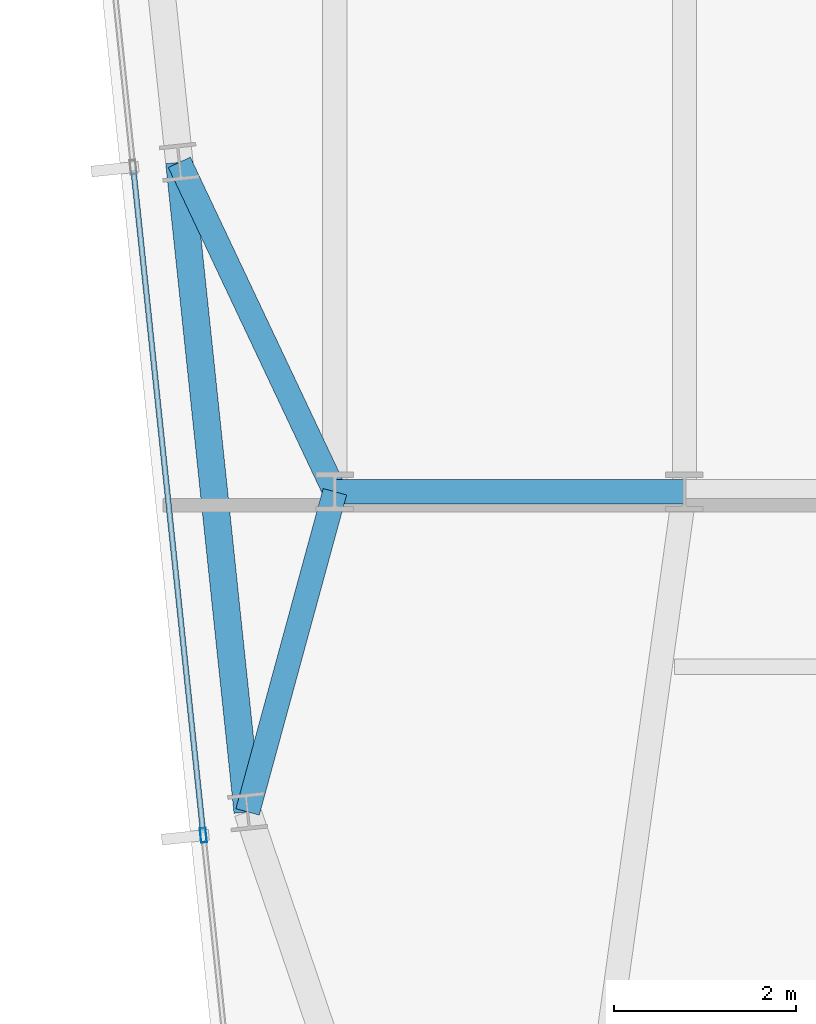
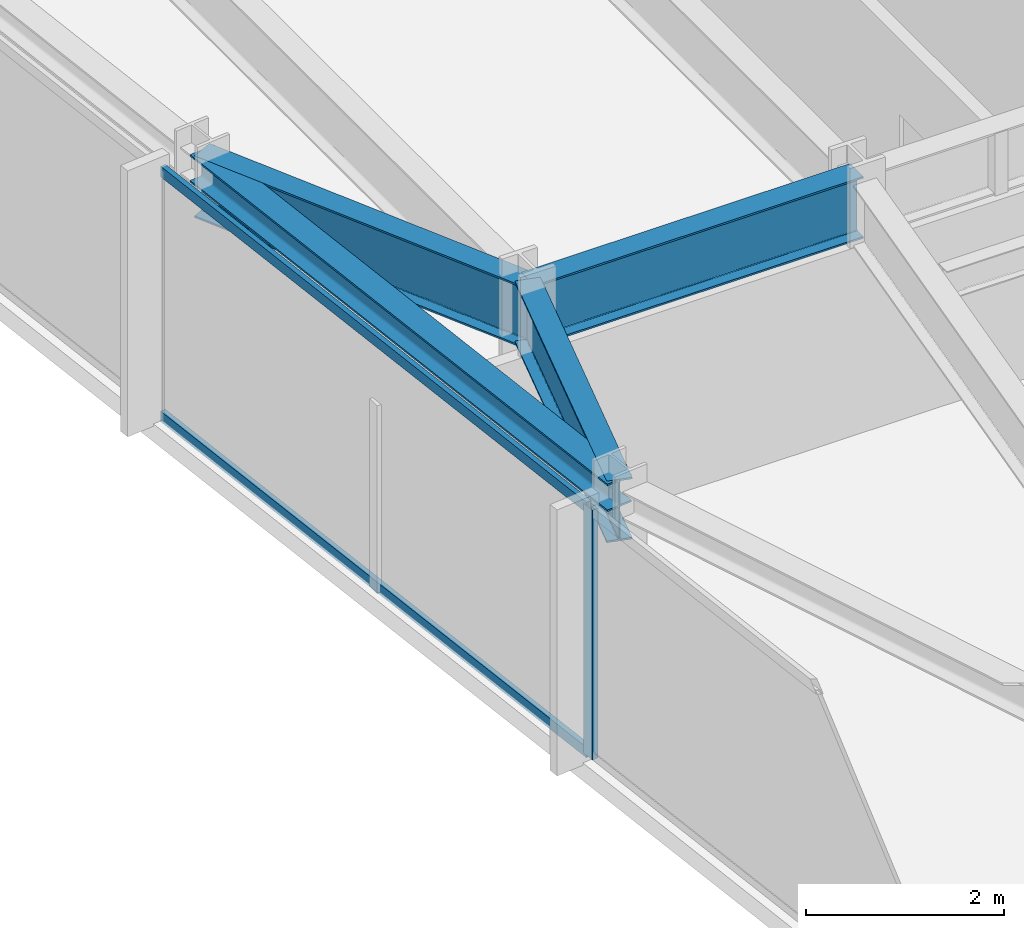
# One storey, part 5 of 33: 4 beams, 3 members, 1 element without a shape of its own.
"""IFC4 building model written with IfcOpenShell, lengths in metres."""

from ifc_helpers import new_model, si_unit, direction, frame, origin, origin_2d, place, context, subcontext, project, spatial, hollow_rectangle, i_section, extrude, material, material_profile, profile_set, type_object, element, aggregate, save


model = new_model("IFC4")

# Units and contexts
model_context = context("Model", 3, precision=1e-05, world=origin(), true_north=direction((0.0, 1.0)))
body_context = subcontext(model_context, "Body", "Model", "MODEL_VIEW")
ifc_project = project(units=[si_unit("LENGTHUNIT", "METRE"), si_unit("AREAUNIT", "SQUARE_METRE"), si_unit("VOLUMEUNIT", "CUBIC_METRE"), si_unit("PLANEANGLEUNIT", "RADIAN"), si_unit("MASSUNIT", "GRAM", prefix="KILO")], contexts=[model_context])

# Site, building, storey
site_placement = place(None, origin())
site = spatial("IfcSite", under=ifc_project, at=site_placement, CompositionType="ELEMENT")
building_placement = place(site_placement, origin())
building = spatial("IfcBuilding", under=site, at=building_placement, Name="Yelkora Congress Tower", CompositionType="ELEMENT")
storey_placement = place(building_placement, frame((0.0, 0.0, 240.800048828125)))
storey = spatial("IfcBuildingStorey", under=building, at=storey_placement, Name="L67", CompositionType="ELEMENT", Elevation=240.800048828125)

# Beams
ifc_material_1 = material(Name="Steel S355J2", Category="steel")
ifc_material_profile_1 = material_profile(ifc_material_1, i_section(OverallWidth=0.26708984375, OverallDepth=0.761962890625, WebThickness=0.014404296875, FlangeThickness=0.021484375, FilletRadius=0.01708984375, at=origin_2d()), Name="IPE 750x173")
ifc_profile_set_1 = profile_set([ifc_material_profile_1], Name="Steel S355J2")
beam_type_1 = type_object("IfcBeamType", Name="BM-GIRD-IPE750", PredefinedType="BEAM", material=ifc_profile_set_1)
beam_1_placement = place(storey_placement, frame((19.199951171875, 25.199951171875, 2.698974609375), z_axis=(1.0, 0.0, 0.0), x_axis=(0.0, 1.0, 0.0)))
element("IfcBeam", 1, at=beam_1_placement, inside=storey, type_object=beam_type_1, Name="L67 Spine Grid D Girder 1", PredefinedType="BEAM", context=body_context, shape_type="SweptSolid", body=[
    extrude(i_section(OverallWidth=0.26708984375, OverallDepth=0.761962890625, WebThickness=0.014404296875, FlangeThickness=0.021484375, FilletRadius=0.01708984375, at=origin_2d()), origin(), (0.0, 0.0, 1.0), 3.840087890625),
])
beam_2_placement = place(storey_placement, frame((18.2412109375, 21.68310546875, 2.698974609375), z_axis=(0.263015394472, 0.964791636713, 0.0), x_axis=(-0.964791636713, 0.263015394472, 0.0)))
element("IfcBeam", 2, at=beam_2_placement, inside=storey, type_object=beam_type_1, Name="L67 Primary Frame Girder W01", PredefinedType="BEAM", context=body_context, shape_type="SweptSolid", body=[
    extrude(i_section(OverallWidth=0.26708984375, OverallDepth=0.761962890625, WebThickness=0.014404296875, FlangeThickness=0.021484375, FilletRadius=0.01708984375, at=origin_2d()), origin(), (0.0, 0.0, 1.0), 3.645263671875),
])
beam_3_placement = place(storey_placement, frame((17.4912109375, 28.81884765625, 2.698974609375), z_axis=(0.426968894221, -0.904266312193, 0.0), x_axis=(0.904266312193, 0.426968894221, 0.0)))
element("IfcBeam", 3, at=beam_3_placement, inside=storey, type_object=beam_type_1, Name="L67 Primary Frame Girder W02", PredefinedType="BEAM", context=body_context, shape_type="SweptSolid", body=[
    extrude(i_section(OverallWidth=0.26708984375, OverallDepth=0.761962890625, WebThickness=0.014404296875, FlangeThickness=0.021484375, FilletRadius=0.01708984375, at=origin_2d()), origin(), (0.0, 0.0, 1.0), 4.001953125),
])
ifc_material_profile_2 = material_profile(ifc_material_1, i_section(OverallWidth=0.300048828125, OverallDepth=0.340087890625, WebThickness=0.011962890625, FlangeThickness=0.021484375, FilletRadius=0.027099609375, at=origin_2d()), Name="HEB 340")
ifc_profile_set_2 = profile_set([ifc_material_profile_2], Name="Steel S355J2")
beam_type_2 = type_object("IfcBeamType", Name="BM-SPAN-HEB340", PredefinedType="SPANDREL", material=ifc_profile_set_2)
beam_4_placement = place(storey_placement, frame((17.4912109375, 28.81884765625, 2.909912109375), z_axis=(0.104528914631, -0.994521847928, 0.0), x_axis=(0.994521847928, 0.104528914631, 0.0)))
element("IfcBeam", 4, at=beam_4_placement, inside=storey, type_object=beam_type_2, Name="L67 Perimeter Beam 1", PredefinedType="SPANDREL", context=body_context, shape_type="SweptSolid", body=[
    extrude(i_section(OverallWidth=0.300048828125, OverallDepth=0.340087890625, WebThickness=0.011962890625, FlangeThickness=0.021484375, FilletRadius=0.027099609375, at=origin_2d()), origin(), (0.0, 0.0, 1.0), 7.175048828125),
])

# Curtain wall, members
ifc_material_2 = material(Name="Anodised aluminium and insulated glass", Category="aluminium")
curtain_wall_type = type_object("IfcCurtainWallType", Name="CW-SYS-B4", PredefinedType="NOTDEFINED", material=ifc_material_2)
curtain_wall_placement = place(storey_placement, origin())
curtain_wall = element("IfcCurtainWall", 5, at=curtain_wall_placement, inside=storey, type_object=curtain_wall_type, Name="L67 Unitised Curtain Wall 5", PredefinedType="NOTDEFINED")
ifc_material_3 = material(Name="Anodised aluminium 6063-T6", Category="aluminium")
ifc_material_profile_3 = material_profile(ifc_material_3, hollow_rectangle(XDim=0.06494140625, YDim=0.159912109375, WallThickness=0.00390625, at=origin_2d()), Name="ALU 65x160x4")
ifc_profile_set_3 = profile_set([ifc_material_profile_3], Name="Anodised aluminium 6063-T6")
member_type_1 = type_object("IfcMemberType", Name="MEM-ML-B4", PredefinedType="MULLION", material=ifc_profile_set_3)
member_1_placement = place(storey_placement, frame((17.75537109375, 21.426025390625, 0.0), z_axis=(0.0, 0.0, 1.0), x_axis=(-0.994522145958, -0.104526079034, 0.0)))
member_1 = element("IfcMember", 6, at=member_1_placement, type_object=member_type_1, Name="CW-B4 mullion 2", PredefinedType="MULLION", context=body_context, shape_type="SweptSolid", body=[
    extrude(hollow_rectangle(XDim=0.06494140625, YDim=0.159912109375, WallThickness=0.00390625, at=origin_2d()), origin(), (0.0, 0.0, 1.0), 3.079833984375),
])
ifc_material_profile_4 = material_profile(ifc_material_3, hollow_rectangle(XDim=0.06005859375, YDim=0.1298828125, WallThickness=0.00390625, at=origin_2d()), Name="ALU 60x130x4")
ifc_profile_set_4 = profile_set([ifc_material_profile_4], Name="Anodised aluminium 6063-T6")
member_type_2 = type_object("IfcMemberType", Name="MEM-TR-B4", PredefinedType="USERDEFINED", material=ifc_profile_set_4)
member_2_placement = place(storey_placement, frame((17.751953125, 21.458251953125, 0.030029296875), z_axis=(-0.104528426736, 0.994521899208, 0.0), x_axis=(-0.994521899208, -0.104528426736, 0.0)))
member_2 = element("IfcMember", 7, at=member_2_placement, type_object=member_type_2, Name="CW-B4 transom 2.1", ObjectType="TRANSOM", PredefinedType="USERDEFINED", context=body_context, shape_type="SweptSolid", body=[
    extrude(hollow_rectangle(XDim=0.06005859375, YDim=0.1298828125, WallThickness=0.00390625, at=origin_2d()), origin(), (0.0, 0.0, 1.0), 7.315185546875),
])
member_3_placement = place(storey_placement, frame((17.751953125, 21.458251953125, 3.050048828125), z_axis=(-0.104528426736, 0.994521899208, 0.0), x_axis=(-0.994521899208, -0.104528426736, 0.0)))
member_3 = element("IfcMember", 8, at=member_3_placement, type_object=member_type_2, Name="CW-B4 transom 2.2", ObjectType="TRANSOM", PredefinedType="USERDEFINED", context=body_context, shape_type="SweptSolid", body=[
    extrude(hollow_rectangle(XDim=0.06005859375, YDim=0.1298828125, WallThickness=0.00390625, at=origin_2d()), origin(), (0.0, 0.0, 1.0), 7.315185546875),
])
aggregate(curtain_wall, [member_1, member_2, member_3])

save(model, "model.ifc")
